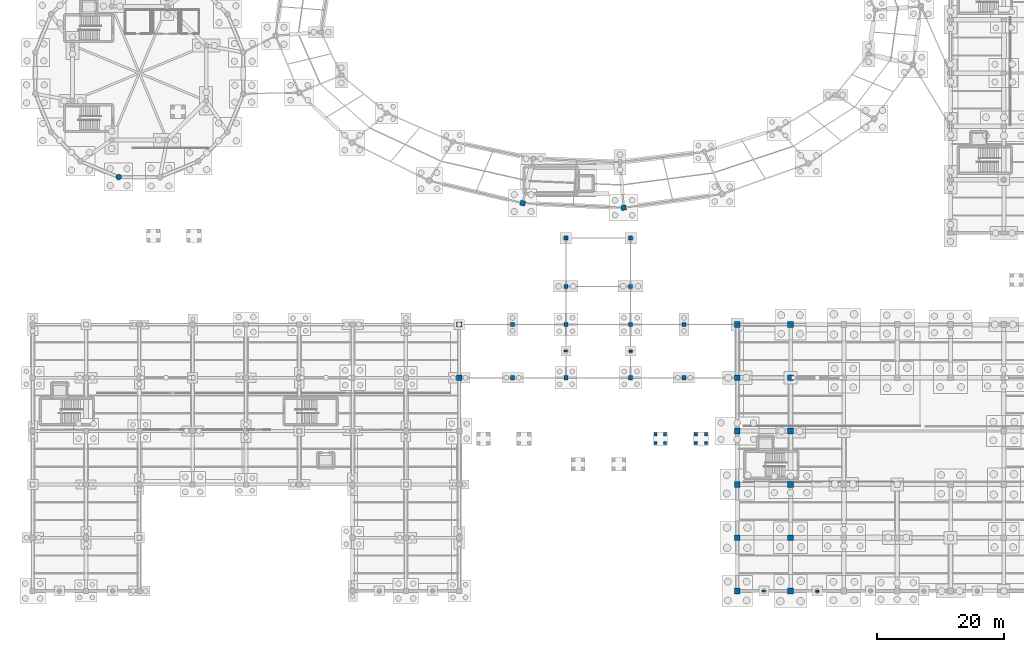
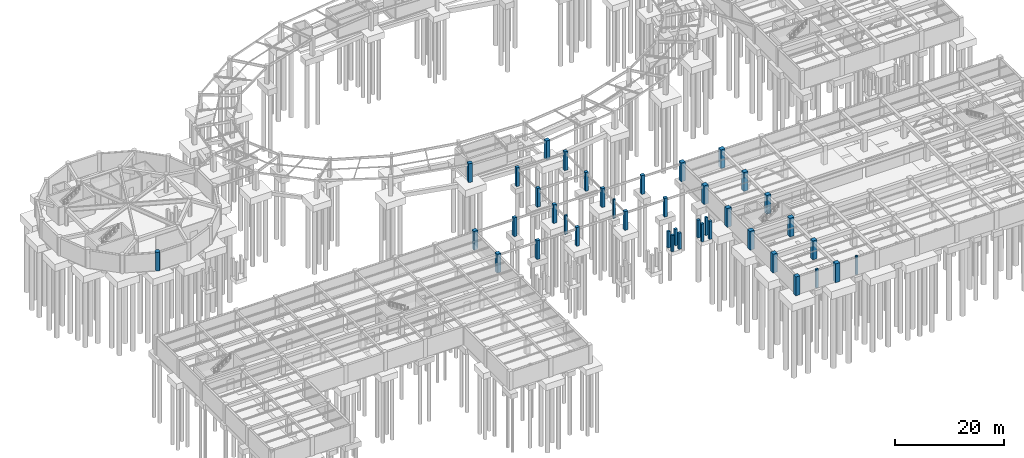
# One storey, part 12 of 38: 41 columns.
"""IFC4 building model written with IfcOpenShell, lengths in metres."""

from ifc_helpers import new_model, si_unit, direction, frame, origin, origin_2d, place, context, subcontext, project, spatial, rectangle, circle, extrude, material, material_profile, profile_set, type_object, element, save


model = new_model("IFC4")

# Units and contexts
model_context = context("Model", 3, precision=1e-05, world=origin(), true_north=direction((0.0, 1.0)))
body_context = subcontext(model_context, "Body", "Model", "MODEL_VIEW")
ifc_project = project(units=[si_unit("LENGTHUNIT", "METRE"), si_unit("AREAUNIT", "SQUARE_METRE"), si_unit("VOLUMEUNIT", "CUBIC_METRE"), si_unit("PLANEANGLEUNIT", "RADIAN"), si_unit("MASSUNIT", "GRAM", prefix="KILO"), si_unit("THERMODYNAMICTEMPERATUREUNIT", "KELVIN"), si_unit("POWERUNIT", "WATT")], contexts=[model_context])

# Site, building, storey
site_placement = place(None, origin())
site = spatial("IfcSite", under=ifc_project, at=site_placement, CompositionType="ELEMENT")
building_placement = place(site_placement, origin())
building = spatial("IfcBuilding", under=site, at=building_placement, Name="Darbajah Civic Hall", CompositionType="ELEMENT")
storey_placement = place(building_placement, frame((0.0, 0.0, -4.199951171875)))
storey = spatial("IfcBuildingStorey", under=building, at=storey_placement, Name="B01", CompositionType="ELEMENT", Elevation=-4.199951171875)

# Columns
ifc_material_1 = material(Name="Concrete C45/55", Category="concrete")
ifc_material_profile_1 = material_profile(ifc_material_1, rectangle(XDim=0.449951171875, YDim=0.300048828125, at=origin_2d()), Name="PILASTER 450x300")
ifc_profile_set_1 = profile_set([ifc_material_profile_1], Name="Concrete C45/55")
column_type_1 = type_object("IfcColumnType", Name="PILASTER 450x300", PredefinedType="PILASTER", material=ifc_profile_set_1)
for number, where, z_axis, x_axis, name in (
    (1, (123.60009765625, 0.0, 0.0), (0.0, 0.0, 1.0), (1.0, 0.0, 0.0), "B01 column PL-450"),
    (2, (94.199951171875, 37.800048828125, 0.0), (0.0, 0.0, 1.0), (1.0, 0.0, 0.0), "B01 column PL-450"),
):
    element("IfcColumn", number, at=place(storey_placement, frame(where, z_axis=z_axis, x_axis=x_axis)), inside=storey, type_object=column_type_1, Name=name, PredefinedType="PILASTER", context=body_context, shape_type="SweptSolid", body=[
        extrude(rectangle(XDim=0.449951171875, YDim=0.300048828125, at=origin_2d()), origin(), (0.0, 0.0, 1.0), 4.199951171875),
    ])
ifc_material_profile_2 = material_profile(ifc_material_1, rectangle(XDim=0.550048828125, YDim=0.35009765625, at=origin_2d()), Name="PILASTER 550x350")
ifc_profile_set_2 = profile_set([ifc_material_profile_2], Name="Concrete C45/55")
column_type_2 = type_object("IfcColumnType", Name="PILASTER 550x350", PredefinedType="PILASTER", material=ifc_profile_set_2)
for number, where, z_axis, x_axis, name in (
    (3, (115.199951171875, 0.0, 0.0), (0.0, 0.0, 1.0), (1.0, 0.0, 0.0), "B01 column PL-550"),
    (4, (84.0, 37.800048828125, 0.0), (0.0, 0.0, 1.0), (1.0, 0.0, 0.0), "B01 column PL-550"),
):
    element("IfcColumn", number, at=place(storey_placement, frame(where, z_axis=z_axis, x_axis=x_axis)), inside=storey, type_object=column_type_2, Name=name, PredefinedType="PILASTER", context=body_context, shape_type="SweptSolid", body=[
        extrude(rectangle(XDim=0.550048828125, YDim=0.35009765625, at=origin_2d()), origin(), (0.0, 0.0, 1.0), 4.199951171875),
    ])
ifc_material_profile_3 = material_profile(ifc_material_1, rectangle(XDim=0.5, YDim=0.5, at=origin_2d()), Name="RC COL 500x500")
ifc_profile_set_3 = profile_set([ifc_material_profile_3], Name="Concrete C45/55")
column_type_3 = type_object("IfcColumnType", Name="RC COL 500x500", PredefinedType="COLUMN", material=ifc_profile_set_3)
for number, where, z_axis, x_axis, name in (
    (5, (98.1298828125, 23.300048828125, 0.0), (0.0, 0.0, 1.0), (1.0, 0.0, 0.0), "B01 ramp RMP-S2 BOT pier 1"),
    (6, (99.6298828125, 23.300048828125, 0.0), (0.0, 0.0, 1.0), (1.0, 0.0, 0.0), "B01 ramp RMP-S2 BOT pier 2"),
    (7, (98.1298828125, 24.699951171875, 0.0), (0.0, 0.0, 1.0), (1.0, 0.0, 0.0), "B01 ramp RMP-S2 BOT pier 3"),
    (8, (99.6298828125, 24.699951171875, 0.0), (0.0, 0.0, 1.0), (1.0, 0.0, 0.0), "B01 ramp RMP-S2 BOT pier 4"),
):
    element("IfcColumn", number, at=place(storey_placement, frame(where, z_axis=z_axis, x_axis=x_axis)), inside=storey, type_object=column_type_3, Name=name, PredefinedType="COLUMN", context=body_context, shape_type="SweptSolid", body=[
        extrude(rectangle(XDim=0.5, YDim=0.5, at=origin_2d()), origin(), (0.0, 0.0, 1.0), 3.639892578125),
    ])
for number, where, z_axis, x_axis, name in (
    (9, (104.449951171875, 23.300048828125, 0.0), (0.0, 0.0, 1.0), (1.0, 0.0, 0.0), "B01 ramp RMP-S2 TOP pier 1"),
    (10, (106.10009765625, 23.300048828125, 0.0), (0.0, 0.0, 1.0), (1.0, 0.0, 0.0), "B01 ramp RMP-S2 TOP pier 2"),
    (11, (104.449951171875, 24.699951171875, 0.0), (0.0, 0.0, 1.0), (1.0, 0.0, 0.0), "B01 ramp RMP-S2 TOP pier 3"),
    (12, (106.10009765625, 24.699951171875, 0.0), (0.0, 0.0, 1.0), (1.0, 0.0, 0.0), "B01 ramp RMP-S2 TOP pier 4"),
):
    element("IfcColumn", number, at=place(storey_placement, frame(where, z_axis=z_axis, x_axis=x_axis)), inside=storey, type_object=column_type_3, Name=name, PredefinedType="COLUMN", context=body_context, shape_type="SweptSolid", body=[
        extrude(rectangle(XDim=0.5, YDim=0.5, at=origin_2d()), origin(), (0.0, 0.0, 1.0), 4.0),
    ])
ifc_material_profile_4 = material_profile(ifc_material_1, rectangle(XDim=0.64990234375, YDim=0.64990234375, at=origin_2d()), Name="RC COL 650x650")
ifc_profile_set_4 = profile_set([ifc_material_profile_4], Name="Concrete C45/55")
column_type_4 = type_object("IfcColumnType", Name="RC COL 650x650", PredefinedType="COLUMN", material=ifc_profile_set_4)
for number, where, z_axis, x_axis, name in (
    (13, (75.60009765625, 33.60009765625, 0.0), (0.0, 0.0, 1.0), (1.0, 0.0, 0.0), "B01 column C-RC650"),
    (14, (75.60009765625, 42.0, 0.0), (0.0, 0.0, 1.0), (1.0, 0.0, 0.0), "B01 column C-RC650"),
    (15, (84.0, 33.60009765625, 0.0), (0.0, 0.0, 1.0), (1.0, 0.0, 0.0), "B01 column C-RC650"),
    (16, (84.0, 42.0, 0.0), (0.0, 0.0, 1.0), (1.0, 0.0, 0.0), "B01 column C-RC650"),
    (17, (84.0, 48.0, 0.0), (0.0, 0.0, 1.0), (1.0, 0.0, 0.0), "B01 column C-RC650"),
    (18, (84.0, 55.60009765625, 0.0), (0.0, 0.0, 1.0), (1.0, 0.0, 0.0), "B01 column C-RC650"),
    (19, (94.199951171875, 33.60009765625, 0.0), (0.0, 0.0, 1.0), (1.0, 0.0, 0.0), "B01 column C-RC650"),
    (20, (94.199951171875, 42.0, 0.0), (0.0, 0.0, 1.0), (1.0, 0.0, 0.0), "B01 column C-RC650"),
    (21, (94.199951171875, 48.0, 0.0), (0.0, 0.0, 1.0), (1.0, 0.0, 0.0), "B01 column C-RC650"),
    (22, (94.199951171875, 55.60009765625, 0.0), (0.0, 0.0, 1.0), (1.0, 0.0, 0.0), "B01 column C-RC650"),
    (23, (102.60009765625, 33.60009765625, 0.0), (0.0, 0.0, 1.0), (1.0, 0.0, 0.0), "B01 column C-RC650"),
    (24, (102.60009765625, 42.0, 0.0), (0.0, 0.0, 1.0), (1.0, 0.0, 0.0), "B01 column C-RC650"),
):
    element("IfcColumn", number, at=place(storey_placement, frame(where, z_axis=z_axis, x_axis=x_axis)), inside=storey, type_object=column_type_4, Name=name, PredefinedType="COLUMN", context=body_context, shape_type="SweptSolid", body=[
        extrude(rectangle(XDim=0.64990234375, YDim=0.64990234375, at=origin_2d()), origin(), (0.0, 0.0, 1.0), 4.199951171875),
    ])
ifc_material_2 = material(Name="Concrete C50/60", Category="concrete")
ifc_material_profile_5 = material_profile(ifc_material_2, rectangle(XDim=0.800048828125, YDim=0.800048828125, at=origin_2d()), Name="RC COL 800x800")
ifc_profile_set_5 = profile_set([ifc_material_profile_5], Name="Concrete C50/60")
column_type_5 = type_object("IfcColumnType", Name="RC COL 800x800", PredefinedType="COLUMN", material=ifc_profile_set_5)
for number, where, z_axis, x_axis, name in (
    (25, (77.1943359375, 61.114990234375, 0.0), (0.0, 0.0, 1.0), (-0.233445363856, -0.972369920398, 0.0), "B01 column C-RC800"),
    (26, (93.101318359375, 60.390869140625, 0.0), (0.0, 0.0, 1.0), (0.078459095728, -0.996917333733, 0.0), "B01 column C-RC800"),
    (27, (67.199951171875, 33.60009765625, 0.0), (0.0, 0.0, 1.0), (1.0, 0.0, 0.0), "B01 column C-RC800"),
    (28, (67.199951171875, 42.0, 0.0), (0.0, 0.0, 1.0), (1.0, 0.0, 0.0), "B01 column C-RC800"),
):
    element("IfcColumn", number, at=place(storey_placement, frame(where, z_axis=z_axis, x_axis=x_axis)), inside=storey, type_object=column_type_5, Name=name, PredefinedType="COLUMN", context=body_context, shape_type="SweptSolid", body=[
        extrude(rectangle(XDim=0.800048828125, YDim=0.800048828125, at=origin_2d()), origin(), (0.0, 0.0, 1.0), 4.199951171875),
    ])
ifc_material_profile_6 = material_profile(ifc_material_2, rectangle(XDim=0.89990234375, YDim=0.89990234375, at=origin_2d()), Name="RC COL 900x900")
ifc_profile_set_6 = profile_set([ifc_material_profile_6], Name="Concrete C50/60")
column_type_6 = type_object("IfcColumnType", Name="RC COL 900x900", PredefinedType="COLUMN", material=ifc_profile_set_6)
for number, where, z_axis, x_axis, name in (
    (29, (111.0, 0.0, 0.0), (0.0, 0.0, 1.0), (1.0, 0.0, 0.0), "B01 column C-RC900"),
    (30, (111.0, 8.39990234375, 0.0), (0.0, 0.0, 1.0), (1.0, 0.0, 0.0), "B01 column C-RC900"),
    (31, (111.0, 16.800048828125, 0.0), (0.0, 0.0, 1.0), (1.0, 0.0, 0.0), "B01 column C-RC900"),
    (32, (111.0, 25.199951171875, 0.0), (0.0, 0.0, 1.0), (1.0, 0.0, 0.0), "B01 column C-RC900"),
    (33, (111.0, 33.60009765625, 0.0), (0.0, 0.0, 1.0), (1.0, 0.0, 0.0), "B01 column C-RC900"),
    (34, (111.0, 42.0, 0.0), (0.0, 0.0, 1.0), (1.0, 0.0, 0.0), "B01 column C-RC900"),
    (35, (119.39990234375, 0.0, 0.0), (0.0, 0.0, 1.0), (1.0, 0.0, 0.0), "B01 column C-RC900"),
    (36, (119.39990234375, 8.39990234375, 0.0), (0.0, 0.0, 1.0), (1.0, 0.0, 0.0), "B01 column C-RC900"),
    (37, (119.39990234375, 16.800048828125, 0.0), (0.0, 0.0, 1.0), (1.0, 0.0, 0.0), "B01 column C-RC900"),
    (38, (119.39990234375, 25.199951171875, 0.0), (0.0, 0.0, 1.0), (1.0, 0.0, 0.0), "B01 column C-RC900"),
    (39, (119.39990234375, 33.60009765625, 0.0), (0.0, 0.0, 1.0), (1.0, 0.0, 0.0), "B01 column C-RC900"),
    (40, (119.39990234375, 42.0, 0.0), (0.0, 0.0, 1.0), (1.0, 0.0, 0.0), "B01 column C-RC900"),
):
    element("IfcColumn", number, at=place(storey_placement, frame(where, z_axis=z_axis, x_axis=x_axis)), inside=storey, type_object=column_type_6, Name=name, PredefinedType="COLUMN", context=body_context, shape_type="SweptSolid", body=[
        extrude(rectangle(XDim=0.89990234375, YDim=0.89990234375, at=origin_2d()), origin(), (0.0, 0.0, 1.0), 4.199951171875),
    ])
ifc_material_profile_7 = material_profile(ifc_material_2, circle(Radius=0.449951171875, at=origin_2d()), Name="RC COL D900")
ifc_profile_set_7 = profile_set([ifc_material_profile_7], Name="Concrete C50/60")
column_type_7 = type_object("IfcColumnType", Name="RC COL D900", PredefinedType="COLUMN", material=ifc_profile_set_7)
column_placement = place(storey_placement, frame((13.541748046875, 65.219970703125, 0.0), z_axis=(0.0, 0.0, 1.0), x_axis=(1.0, 0.0, 0.0)))
element("IfcColumn", 41, at=column_placement, inside=storey, type_object=column_type_7, Name="B01 column C-RCD900", PredefinedType="COLUMN", context=body_context, shape_type="SweptSolid", body=[
    extrude(circle(Radius=0.449951171875, at=origin_2d()), origin(), (0.0, 0.0, 1.0), 4.199951171875),
])

save(model, "model.ifc")
